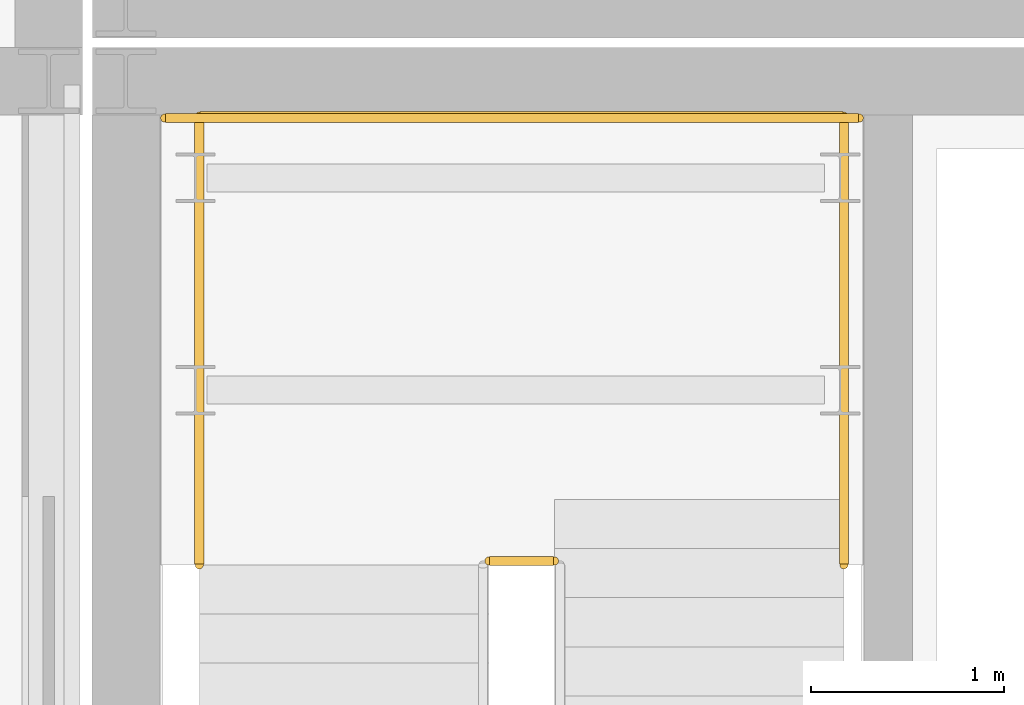
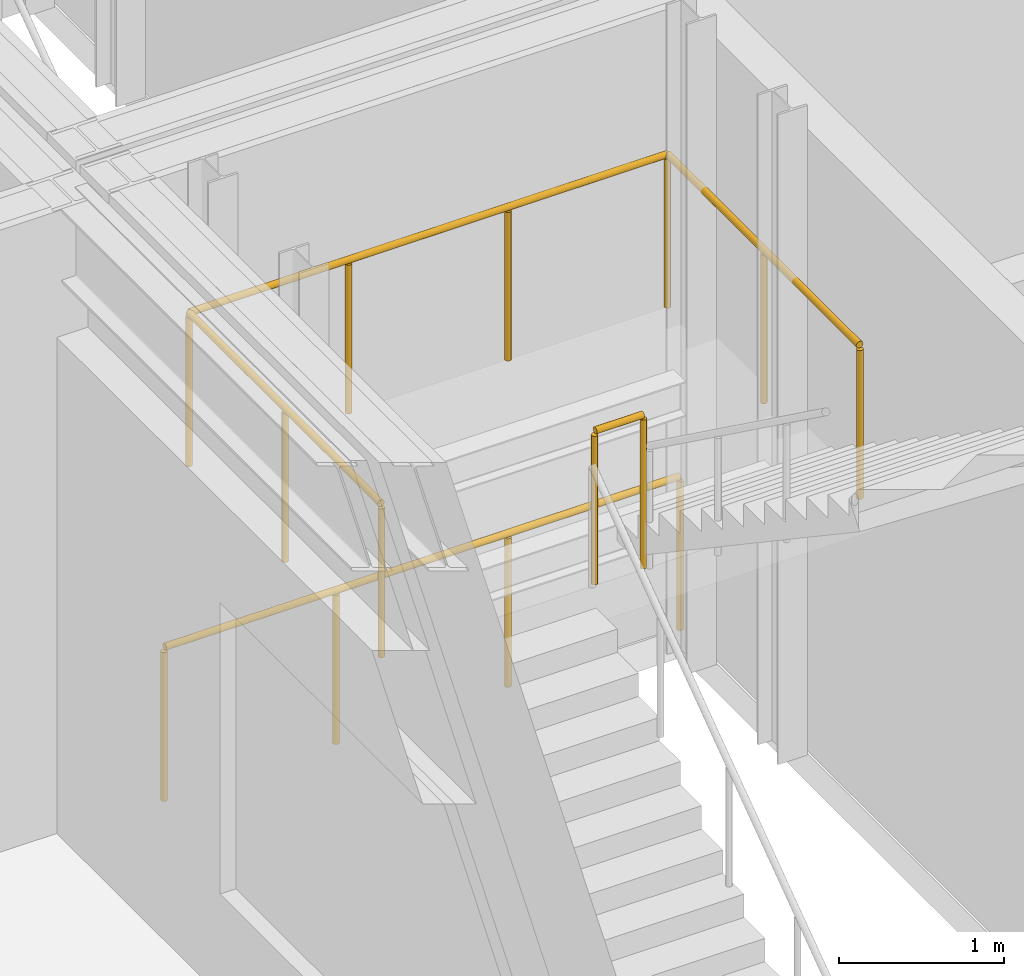
# One storey, part 99 of 104: 3 railings.
"""IFC4 building model written with IfcOpenShell, lengths in metres."""

from ifc_helpers import new_model, si_unit, direction, frame, origin, origin_2d, place, context, subcontext, project, spatial, circle, extrude, material, type_object, element, save


model = new_model("IFC4")

# Units and contexts
model_context = context("Model", 3, precision=1e-05, world=origin(), true_north=direction((0.0, 1.0)))
body_context = subcontext(model_context, "Body", "Model", "MODEL_VIEW")
ifc_project = project(units=[si_unit("LENGTHUNIT", "METRE"), si_unit("AREAUNIT", "SQUARE_METRE"), si_unit("VOLUMEUNIT", "CUBIC_METRE"), si_unit("PLANEANGLEUNIT", "RADIAN"), si_unit("MASSUNIT", "GRAM", prefix="KILO")], contexts=[model_context])

# Site, building, storey
site_placement = place(None, origin())
site = spatial("IfcSite", under=ifc_project, at=site_placement, CompositionType="ELEMENT")
building_placement = place(site_placement, origin())
building = spatial("IfcBuilding", under=site, at=building_placement, Name="Zulena Civic Courthouse", CompositionType="ELEMENT")
storey_placement = place(building_placement, frame((0.0, 0.0, 10.800048828125)))
storey = spatial("IfcBuildingStorey", under=building, at=storey_placement, Name="L02", CompositionType="ELEMENT", Elevation=10.800048828125)

# Railings
ifc_material = material(Name="Brushed architectural steel ASTM A36", Category="steel")
railing_type = type_object("IfcRailingType", Name="InteriorGuardrail_1150", PredefinedType="GUARDRAIL", material=ifc_material)
railing_1_placement = place(storey_placement, frame((124.60009765625, 30.2099609375, 0.0)))
element("IfcRailing", 1, at=railing_1_placement, inside=storey, type_object=railing_type, Name="gr:wellN:K1A:L01", PredefinedType="GUARDRAIL", context=body_context, shape_type="SweptSolid", body=[
    extrude(circle(Radius=0.02392578125, at=origin_2d()), frame((0.00390625, 0.0, 1.1259765625), z_axis=(1.0, 0.0, 0.0), x_axis=(0.0, 1.0, 0.0)), (0.0, 0.0, 1.0), 3.591796875),
    extrude(circle(Radius=0.02099609375, at=origin_2d()), origin(), (0.0, 0.0, 1.0), 1.097900390625),
    extrude(circle(Radius=0.02099609375, at=origin_2d()), frame((1.199951171875, 0.0, 0.0)), (0.0, 0.0, 1.0), 1.097900390625),
    extrude(circle(Radius=0.02099609375, at=origin_2d()), frame((2.39990234375, 0.0, 0.0)), (0.0, 0.0, 1.0), 1.097900390625),
    extrude(circle(Radius=0.02099609375, at=origin_2d()), frame((3.599853515625, 0.0, 0.0)), (0.0, 0.0, 1.0), 1.097900390625),
])
railing_2_placement = place(storey_placement, frame((124.780029296875, 27.89453125, 2.39990234375)))
element("IfcRailing", 2, at=railing_2_placement, inside=storey, type_object=railing_type, Name="gr:lnd:K1A:L02", PredefinedType="GUARDRAIL", context=body_context, shape_type="SweptSolid", body=[
    extrude(circle(Radius=0.02392578125, at=origin_2d()), frame((0.0, 0.00390625, 1.1259765625), z_axis=(0.0, 1.0, 0.0), x_axis=(-1.0, 0.0, 0.0)), (0.0, 0.0, 1.0), 2.3173828125),
    extrude(circle(Radius=0.02392578125, at=origin_2d()), frame((0.00390625, 2.325439453125, 1.1259765625), z_axis=(1.0, 0.0, 0.0), x_axis=(0.0, 1.0, 0.0)), (0.0, 0.0, 1.0), 3.33203125),
    extrude(circle(Radius=0.02392578125, at=origin_2d()), frame((3.340087890625, 2.321533203125, 1.1259765625), z_axis=(0.0, -1.0, 0.0), x_axis=(1.0, 0.0, 0.0)), (0.0, 0.0, 1.0), 2.3173828125),
    extrude(circle(Radius=0.02099609375, at=origin_2d()), origin(), (0.0, 0.0, 1.0), 1.097900390625),
    extrude(circle(Radius=0.02099609375, at=origin_2d()), frame((0.0, 1.16259765625, 0.0)), (0.0, 0.0, 1.0), 1.097900390625),
    extrude(circle(Radius=0.02099609375, at=origin_2d()), frame((0.0, 2.325439453125, 0.0)), (0.0, 0.0, 1.0), 1.097900390625),
    extrude(circle(Radius=0.02099609375, at=origin_2d()), frame((1.11328125, 2.325439453125, 0.0)), (0.0, 0.0, 1.0), 1.097900390625),
    extrude(circle(Radius=0.02099609375, at=origin_2d()), frame((2.226806640625, 2.325439453125, 0.0)), (0.0, 0.0, 1.0), 1.097900390625),
    extrude(circle(Radius=0.02099609375, at=origin_2d()), frame((3.340087890625, 2.325439453125, 0.0)), (0.0, 0.0, 1.0), 1.097900390625),
    extrude(circle(Radius=0.02099609375, at=origin_2d()), frame((3.340087890625, 1.16259765625, 0.0)), (0.0, 0.0, 1.0), 1.097900390625),
    extrude(circle(Radius=0.02099609375, at=origin_2d()), frame((3.340087890625, 0.0, 0.0)), (0.0, 0.0, 1.0), 1.097900390625),
])
railing_3_placement = place(storey_placement, frame((126.280029296875, 27.9150390625, 2.39990234375)))
element("IfcRailing", 3, at=railing_3_placement, inside=storey, type_object=railing_type, Name="gr:lndslot:K1A:L02", PredefinedType="GUARDRAIL", context=body_context, shape_type="SweptSolid", body=[
    extrude(circle(Radius=0.02392578125, at=origin_2d()), frame((0.00390625, 0.0, 1.1259765625), z_axis=(1.0, 0.0, 0.0), x_axis=(0.0, 1.0, 0.0)), (0.0, 0.0, 1.0), 0.33203125),
    extrude(circle(Radius=0.02099609375, at=origin_2d()), origin(), (0.0, 0.0, 1.0), 1.097900390625),
    extrude(circle(Radius=0.02099609375, at=origin_2d()), frame((0.340087890625, 0.0, 0.0)), (0.0, 0.0, 1.0), 1.097900390625),
])

save(model, "model.ifc")
